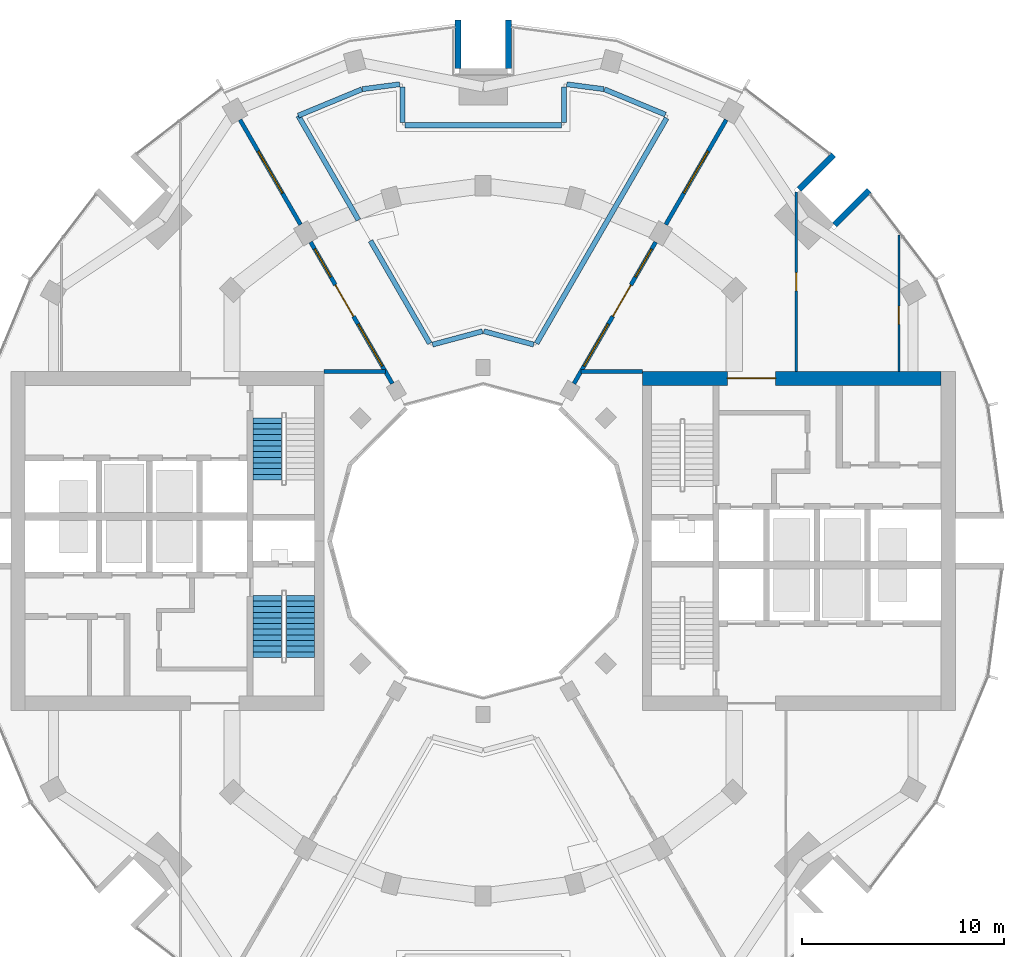
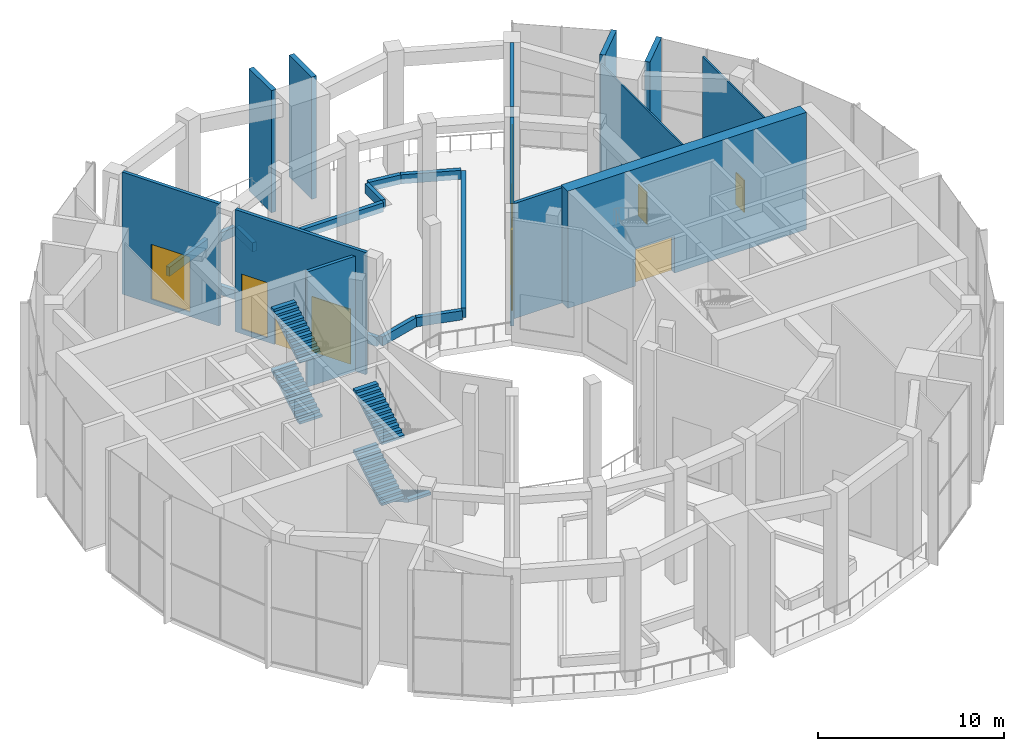
# One storey, part 14 of 18: 25 walls, 6 windows, 5 doors, 5 stair flights, 11 openings, 2 elements without a shape of their own.
"""IFC4 building model written with IfcOpenShell, lengths in metres."""

from ifc_helpers import new_model, si_unit, direction, frame, frame_2d, origin, place, context, subcontext, project, spatial, polyline, rectangle, outline, extrude, material, layer, layer_set, type_object, element, fill, aggregate, save


model = new_model("IFC4")

# Units and contexts
model_context = context("Model", 3, precision=1e-05, world=origin(), true_north=direction((0.0, 1.0)))
body_context = subcontext(model_context, "Body", "Model", "MODEL_VIEW")
ifc_project = project(units=[si_unit("LENGTHUNIT", "METRE"), si_unit("AREAUNIT", "SQUARE_METRE"), si_unit("VOLUMEUNIT", "CUBIC_METRE"), si_unit("PLANEANGLEUNIT", "RADIAN"), si_unit("MASSUNIT", "GRAM", prefix="KILO")], contexts=[model_context])

# Site, building, storey
site_placement = place(None, origin())
site = spatial("IfcSite", under=ifc_project, at=site_placement, CompositionType="ELEMENT")
building_placement = place(site_placement, origin())
building = spatial("IfcBuilding", under=site, at=building_placement, Name="Torre Brocal", CompositionType="ELEMENT")
storey_placement = place(building_placement, frame((0.0, 0.0, 149.699951171875)))
storey = spatial("IfcBuildingStorey", under=building, at=storey_placement, Name="L35", CompositionType="ELEMENT", Elevation=149.699951171875)

# Wall, opening, door
ifc_material_1 = material(Name="Concrete C70", Category="concrete")
ifc_layer_1 = layer(ifc_material_1, 0.699951171875)
ifc_layer_set_1 = layer_set([ifc_layer_1], Name="Concrete C70")
wall_type_1 = type_object("IfcWallType", Name="CORE WALL 700 C70", PredefinedType="SHEAR", material=ifc_layer_set_1)
wall_1_placement = place(storey_placement, frame((87.89990234375, 83.050048828125, 0.0), z_axis=(0.0, 0.0, 1.0), x_axis=(1.0, 0.0, 0.0)))
wall_1 = element("IfcWall", 1, at=wall_1_placement, inside=storey, type_object=wall_type_1, Name="Wall CW700-70", PredefinedType="SHEAR", context=body_context, shape_type="SweptSolid", body=[
    extrude(rectangle(XDim=14.800048828125, YDim=0.699951171875, at=frame_2d((7.39990234375, 0.0))), origin(), (0.0, 0.0, 1.0), 7.679931640625),
])
opening_1_placement = place(wall_1_placement, frame((4.199951171875, 0.0, 0.0)))
opening_1 = element("IfcOpeningElement", 2, at=opening_1_placement, cuts=wall_1, Name="Opening E-D24", PredefinedType="OPENING", context=body_context, shape_type="SweptSolid", body=[
    extrude(rectangle(XDim=2.39990234375, YDim=2.39990234375, at=frame_2d((1.199951171875, 1.199951171875))), frame((0.0, 0.35986328125, 0.0), z_axis=(0.0, -1.0, 0.0), x_axis=(1.0, 0.0, 0.0)), (0.0, 0.0, 1.0), 0.719970703125),
])
ifc_material_2 = material(Name="Steel A653", Category="steel")
door_type_1 = type_object("IfcDoorType", Name="DOUBLE FIRE DOOR FD90 2400X2400", OperationType="DOUBLE_DOOR_SINGLE_SWING", PredefinedType="DOOR", material=ifc_material_2)
door_1_placement = place(opening_1_placement, origin())
door_1 = element("IfcDoor", 3, at=door_1_placement, inside=storey, type_object=door_type_1, Name="Door E-D24", OperationType="DOUBLE_DOOR_SINGLE_SWING", OverallHeight=2.39990234375, OverallWidth=2.39990234375, PredefinedType="DOOR", context=body_context, shape_type="SweptSolid", body=[
    extrude(rectangle(XDim=2.39990234375, YDim=2.39990234375, at=frame_2d((1.199951171875, 1.199951171875))), frame((0.0, 0.02490234375, 0.0), z_axis=(0.0, -1.0, 0.0), x_axis=(1.0, 0.0, 0.0)), (0.0, 0.0, 1.0), 0.050048828125),
])
fill(opening_1, door_1)

# Walls
ifc_material_3 = material(Name="Concrete C70", Category="concrete")
ifc_layer_2 = layer(ifc_material_3, 0.300048828125)
ifc_layer_set_2 = layer_set([ifc_layer_2], Name="Concrete C70")
wall_type_2 = type_object("IfcWallType", Name="NOTCH RETURN WALL 300 C70", PredefinedType="NOTDEFINED", material=ifc_layer_set_2)
for number, where, z_axis, x_axis, name in (
    (4, (97.43017578125, 90.662353515625, 0.0), (0.0, 0.0, 1.0), (0.707106781187, 0.707106781187, 0.0), "NOTCH RETURN WALL"),
    (5, (95.662353515625, 92.43017578125, 0.0), (0.0, 0.0, 1.0), (0.707106781187, 0.707106781187, 0.0), "NOTCH RETURN WALL"),
    (6, (81.25, 98.39990234375, 0.0), (0.0, 0.0, 1.0), (0.0, 1.0, 0.0), "NOTCH RETURN WALL"),
    (7, (78.75, 98.39990234375, 0.0), (0.0, 0.0, 1.0), (0.0, 1.0, 0.0), "NOTCH RETURN WALL"),
):
    element("IfcWall", number, at=place(storey_placement, frame(where, z_axis=z_axis, x_axis=x_axis)), inside=storey, type_object=wall_type_2, Name=name, PredefinedType="NOTDEFINED", context=body_context, shape_type="SweptSolid", body=[
        extrude(rectangle(XDim=2.415771484375, YDim=0.300048828125, at=frame_2d((1.2080078125, 0.0))), origin(), (0.0, 0.0, 1.0), 8.0),
    ])

# Wall, opening, door
ifc_material_4 = material(Name="Gypsum board", Category="Gypsum")
ifc_layer_3 = layer(ifc_material_4, 0.10009765625)
ifc_layer_set_3 = layer_set([ifc_layer_3], Name="Gypsum board")
wall_type_3 = type_object("IfcWallType", Name="PARTITION 100", PredefinedType="PARTITIONING", material=ifc_layer_set_3)
wall_2_placement = place(storey_placement, frame((95.51904296875, 83.39990234375, 0.0), z_axis=(0.0, 0.0, 1.0), x_axis=(0.0, 1.0, 0.0)))
wall_2 = element("IfcWall", 8, at=wall_2_placement, inside=storey, type_object=wall_type_3, Name="ROOM PARTITION", PredefinedType="PARTITIONING", context=body_context, shape_type="SweptSolid", body=[
    extrude(rectangle(XDim=8.89111328125, YDim=0.10009765625, at=frame_2d((4.445556640625, 0.0))), origin(), (0.0, 0.0, 1.0), 7.550048828125),
])
opening_2_placement = place(wall_2_placement, frame((3.99560546875, 0.0, 0.0)))
opening_2 = element("IfcOpeningElement", 9, at=opening_2_placement, cuts=wall_2, Name="Opening SL2-D01", PredefinedType="OPENING", context=body_context, shape_type="SweptSolid", body=[
    extrude(rectangle(XDim=0.89990234375, YDim=2.10009765625, at=frame_2d((0.449951171875, 1.050048828125))), frame((0.0, 0.06005859375, 0.0), z_axis=(0.0, -1.0, 0.0), x_axis=(1.0, 0.0, 0.0)), (0.0, 0.0, 1.0), 0.1201171875),
])
ifc_material_5 = material(Name="Timber", Category="wood")
door_type_2 = type_object("IfcDoorType", Name="ROOM DOOR 900X2100", OperationType="SINGLE_SWING_LEFT", PredefinedType="DOOR", material=ifc_material_5)
door_2_placement = place(opening_2_placement, frame((0.89990234375, 0.0, 0.0), z_axis=(0.0, 0.0, 1.0), x_axis=(-1.0, 0.0, 0.0)))
door_2 = element("IfcDoor", 10, at=door_2_placement, inside=storey, type_object=door_type_2, Name="SL2-D01", OperationType="SINGLE_SWING_LEFT", OverallHeight=2.10009765625, OverallWidth=0.89990234375, PredefinedType="DOOR", context=body_context, shape_type="SweptSolid", body=[
    extrude(rectangle(XDim=0.89990234375, YDim=2.10009765625, at=frame_2d((0.449951171875, 1.050048828125))), frame((0.0, 0.02490234375, 0.0), z_axis=(0.0, -1.0, 0.0), x_axis=(1.0, 0.0, 0.0)), (0.0, 0.0, 1.0), 0.050048828125),
])
fill(opening_2, door_2)

wall_3_placement = place(storey_placement, frame((100.60205078125, 83.39990234375, 0.0), z_axis=(0.0, 0.0, 1.0), x_axis=(0.0, 1.0, 0.0)))
wall_3 = element("IfcWall", 11, at=wall_3_placement, inside=storey, type_object=wall_type_3, Name="BATHROOM WALL", PredefinedType="PARTITIONING", context=body_context, shape_type="SweptSolid", body=[
    extrude(rectangle(XDim=6.76806640625, YDim=0.10009765625, at=frame_2d((3.384033203125, 0.0))), origin(), (0.0, 0.0, 1.0), 7.550048828125),
])
opening_3_placement = place(wall_3_placement, frame((2.333984375, 0.0, 0.0)))
opening_3 = element("IfcOpeningElement", 12, at=opening_3_placement, cuts=wall_3, Name="Opening SL2-D02", PredefinedType="OPENING", context=body_context, shape_type="SweptSolid", body=[
    extrude(rectangle(XDim=0.89990234375, YDim=2.10009765625, at=frame_2d((0.449951171875, 1.050048828125))), frame((0.0, 0.06005859375, 0.0), z_axis=(0.0, -1.0, 0.0), x_axis=(1.0, 0.0, 0.0)), (0.0, 0.0, 1.0), 0.1201171875),
])
ifc_material_6 = material(Name="Timber", Category="wood")
door_type_3 = type_object("IfcDoorType", Name="ACCESSIBLE BATHROOM DOOR 900X2100", OperationType="SINGLE_SWING_LEFT", PredefinedType="DOOR", material=ifc_material_6)
door_3_placement = place(opening_3_placement, frame((0.89990234375, 0.0, 0.0), z_axis=(0.0, 0.0, 1.0), x_axis=(-1.0, 0.0, 0.0)))
door_3 = element("IfcDoor", 13, at=door_3_placement, inside=storey, type_object=door_type_3, Name="SL2-D02", OperationType="SINGLE_SWING_RIGHT", OverallHeight=2.10009765625, OverallWidth=0.89990234375, PredefinedType="DOOR", context=body_context, shape_type="SweptSolid", body=[
    extrude(rectangle(XDim=0.89990234375, YDim=2.10009765625, at=frame_2d((0.449951171875, 1.050048828125))), frame((0.0, 0.02490234375, 0.0), z_axis=(0.0, -1.0, 0.0), x_axis=(1.0, 0.0, 0.0)), (0.0, 0.0, 1.0), 0.050048828125),
])
fill(opening_3, door_3)

# Walls
ifc_material_7 = material(Name="Gypsum board", Category="Gypsum")
ifc_layer_4 = layer(ifc_material_7, 0.199951171875)
ifc_layer_set_4 = layer_set([ifc_layer_4], Name="Gypsum board")
wall_type_4 = type_object("IfcWallType", Name="PARTITION 200 EI60", PredefinedType="PARTITIONING", material=ifc_layer_set_4)
for number, where, z_axis, x_axis, name in (
    (14, (72.10107421875, 83.39990234375, 0.0), (0.0, 0.0, 1.0), (1.0, 0.0, 0.0), "PARTY PARTITION"),
    (15, (84.85107421875, 83.39990234375, 0.0), (0.0, 0.0, 1.0), (1.0, 0.0, 0.0), "PARTY PARTITION"),
):
    element("IfcWall", number, at=place(storey_placement, frame(where, z_axis=z_axis, x_axis=x_axis)), inside=storey, type_object=wall_type_4, Name=name, PredefinedType="PARTITIONING", context=body_context, shape_type="SweptSolid", body=[
        extrude(rectangle(XDim=3.0478515625, YDim=0.199951171875, at=frame_2d((1.52392578125, 0.0))), origin(), (0.0, 0.0, 1.0), 7.550048828125),
    ])

# Wall, openings, door, windows
ifc_material_8 = material(Name="Concrete C40", Category="concrete")
ifc_layer_5 = layer(ifc_material_8, 0.199951171875)
ifc_layer_set_5 = layer_set([ifc_layer_5], Name="Concrete C40")
wall_type_5 = type_object("IfcWallType", Name="PAVILION BOUNDARY WALL 200", PredefinedType="NOTDEFINED", material=ifc_layer_set_5)
wall_4_placement = place(storey_placement, frame((84.5, 82.794189453125, 0.0), z_axis=(0.0, 0.0, 1.0), x_axis=(0.499999880539, 0.866025472755, 0.0)))
wall_4 = element("IfcWall", 16, at=wall_4_placement, inside=storey, type_object=wall_type_5, Name="PAVILION BOUNDARY WALL", PredefinedType="NOTDEFINED", context=body_context, shape_type="SweptSolid", body=[
    extrude(rectangle(XDim=8.10009765625, YDim=0.199951171875, at=frame_2d((4.050048828125, 0.0))), origin(), (0.0, 0.0, 1.0), 8.0),
])
opening_4_placement = place(wall_4_placement, frame((1.0, 0.0, 0.300048828125)))
opening_4 = element("IfcOpeningElement", 17, at=opening_4_placement, cuts=wall_4, Name="Opening W4", PredefinedType="OPENING", context=body_context, shape_type="SweptSolid", body=[
    extrude(rectangle(XDim=2.39990234375, YDim=3.60009765625, at=frame_2d((1.199951171875, 1.800048828125))), frame((0.0, 0.10986328125, 0.0), z_axis=(0.0, -1.0, 0.0), x_axis=(1.0, 0.0, 0.0)), (0.0, 0.0, 1.0), 0.219970703125),
])
opening_5_placement = place(wall_4_placement, frame((3.85009765625, 0.0, 0.0)))
opening_5 = element("IfcOpeningElement", 18, at=opening_5_placement, cuts=wall_4, Name="Opening L35-E01", PredefinedType="OPENING", context=body_context, shape_type="SweptSolid", body=[
    extrude(rectangle(XDim=1.800048828125, YDim=2.39990234375, at=frame_2d((0.89990234375, 1.199951171875))), frame((0.0, 0.10986328125, 0.0), z_axis=(0.0, -1.0, 0.0), x_axis=(1.0, 0.0, 0.0)), (0.0, 0.0, 1.0), 0.219970703125),
])
opening_6_placement = place(wall_4_placement, frame((6.10009765625, 0.0, 0.300048828125)))
opening_6 = element("IfcOpeningElement", 19, at=opening_6_placement, cuts=wall_4, Name="Opening W4-1600", PredefinedType="OPENING", context=body_context, shape_type="SweptSolid", body=[
    extrude(rectangle(XDim=1.60009765625, YDim=3.60009765625, at=frame_2d((0.800048828125, 1.800048828125))), frame((0.0, 0.10986328125, 0.0), z_axis=(0.0, -1.0, 0.0), x_axis=(1.0, 0.0, 0.0)), (0.0, 0.0, 1.0), 0.219970703125),
])
ifc_material_9 = material(Name="Aluminium and glass", Category="aluminium")
door_type_4 = type_object("IfcDoorType", Name="PAVILION DOOR 1800X2400", OperationType="DOUBLE_DOOR_SINGLE_SWING", PredefinedType="DOOR", material=ifc_material_9)
door_4_placement = place(opening_5_placement, origin())
door_4 = element("IfcDoor", 20, at=door_4_placement, inside=storey, type_object=door_type_4, Name="DOOR L35-E01", OperationType="DOUBLE_DOOR_SINGLE_SWING", OverallHeight=2.39990234375, OverallWidth=1.800048828125, PredefinedType="DOOR", context=body_context, shape_type="SweptSolid", body=[
    extrude(rectangle(XDim=1.800048828125, YDim=2.39990234375, at=frame_2d((0.89990234375, 1.199951171875))), frame((0.0, 0.02490234375, 0.0), z_axis=(0.0, -1.0, 0.0), x_axis=(1.0, 0.0, 0.0)), (0.0, 0.0, 1.0), 0.050048828125),
])
fill(opening_5, door_4)
ifc_material_10 = material(Name="Aluminium and glass", Category="aluminium")
window_type_1 = type_object("IfcWindowType", Name="PAVILION WINDOW 1600X3600", PartitioningType="SINGLE_PANEL", PredefinedType="WINDOW", material=ifc_material_10)
window_1_placement = place(opening_6_placement, origin())
window_1 = element("IfcWindow", 21, at=window_1_placement, inside=storey, type_object=window_type_1, Name="PAVILION WINDOW 1600X3600", OverallHeight=3.60009765625, OverallWidth=1.60009765625, PartitioningType="SINGLE_PANEL", PredefinedType="WINDOW", context=body_context, shape_type="SweptSolid", body=[
    extrude(rectangle(XDim=1.60009765625, YDim=3.60009765625, at=frame_2d((0.800048828125, 1.800048828125))), frame((0.0, 0.030029296875, 0.0), z_axis=(0.0, -1.0, 0.0), x_axis=(1.0, 0.0, 0.0)), (0.0, 0.0, 1.0), 0.06005859375),
])
fill(opening_6, window_1)
ifc_material_11 = material(Name="Aluminium and glass", Category="aluminium")
window_type_2 = type_object("IfcWindowType", Name="PAVILION WINDOW 2400X3600", PartitioningType="SINGLE_PANEL", PredefinedType="WINDOW", material=ifc_material_11)
window_2_placement = place(opening_4_placement, origin())
window_2 = element("IfcWindow", 22, at=window_2_placement, inside=storey, type_object=window_type_2, Name="PAVILION WINDOW 2400X3600", OverallHeight=3.60009765625, OverallWidth=2.39990234375, PartitioningType="SINGLE_PANEL", PredefinedType="WINDOW", context=body_context, shape_type="SweptSolid", body=[
    extrude(rectangle(XDim=2.39990234375, YDim=3.60009765625, at=frame_2d((1.199951171875, 1.800048828125))), frame((0.0, 0.030029296875, 0.0), z_axis=(0.0, -1.0, 0.0), x_axis=(1.0, 0.0, 0.0)), (0.0, 0.0, 1.0), 0.06005859375),
])
fill(opening_4, window_2)

# Wall, opening, window
wall_5_placement = place(storey_placement, frame((89.050048828125, 90.675048828125, 0.0), z_axis=(0.0, 0.0, 1.0), x_axis=(0.500007758305, 0.866020924479, 0.0)))
wall_5 = element("IfcWall", 23, at=wall_5_placement, inside=storey, type_object=wall_type_5, Name="PAVILION BOUNDARY WALL", PredefinedType="NOTDEFINED", context=body_context, shape_type="SweptSolid", body=[
    extrude(rectangle(XDim=6.0, YDim=0.199951171875, at=frame_2d((3.0, 0.0))), origin(), (0.0, 0.0, 1.0), 8.0),
])
opening_7_placement = place(wall_5_placement, frame((1.800048828125, 0.0, 0.300048828125)))
opening_7 = element("IfcOpeningElement", 24, at=opening_7_placement, cuts=wall_5, Name="Opening W4", PredefinedType="OPENING", context=body_context, shape_type="SweptSolid", body=[
    extrude(rectangle(XDim=2.39990234375, YDim=3.60009765625, at=frame_2d((1.199951171875, 1.800048828125))), frame((0.0, 0.10986328125, 0.0), z_axis=(0.0, -1.0, 0.0), x_axis=(1.0, 0.0, 0.0)), (0.0, 0.0, 1.0), 0.219970703125),
])
window_3_placement = place(opening_7_placement, origin())
window_3 = element("IfcWindow", 25, at=window_3_placement, inside=storey, type_object=window_type_2, Name="PAVILION WINDOW 2400X3600", OverallHeight=3.60009765625, OverallWidth=2.39990234375, PartitioningType="SINGLE_PANEL", PredefinedType="WINDOW", context=body_context, shape_type="SweptSolid", body=[
    extrude(rectangle(XDim=2.39990234375, YDim=3.60009765625, at=frame_2d((1.199951171875, 1.800048828125))), frame((0.0, 0.030029296875, 0.0), z_axis=(0.0, -1.0, 0.0), x_axis=(1.0, 0.0, 0.0)), (0.0, 0.0, 1.0), 0.06005859375),
])
fill(opening_7, window_3)

# Wall, openings, door, windows
wall_6_placement = place(storey_placement, frame((75.5, 82.794189453125, 0.0), z_axis=(0.0, 0.0, 1.0), x_axis=(-0.499999880539, 0.866025472755, 0.0)))
wall_6 = element("IfcWall", 26, at=wall_6_placement, inside=storey, type_object=wall_type_5, Name="PAVILION BOUNDARY WALL", PredefinedType="NOTDEFINED", context=body_context, shape_type="SweptSolid", body=[
    extrude(rectangle(XDim=8.10009765625, YDim=0.199951171875, at=frame_2d((4.050048828125, 0.0))), origin(), (0.0, 0.0, 1.0), 8.0),
])
opening_8_placement = place(wall_6_placement, frame((1.0, 0.0, 0.300048828125)))
opening_8 = element("IfcOpeningElement", 27, at=opening_8_placement, cuts=wall_6, Name="Opening W4", PredefinedType="OPENING", context=body_context, shape_type="SweptSolid", body=[
    extrude(rectangle(XDim=2.39990234375, YDim=3.60009765625, at=frame_2d((1.199951171875, 1.800048828125))), frame((0.0, 0.10986328125, 0.0), z_axis=(0.0, -1.0, 0.0), x_axis=(1.0, 0.0, 0.0)), (0.0, 0.0, 1.0), 0.219970703125),
])
opening_9_placement = place(wall_6_placement, frame((3.85009765625, 0.0, 0.0)))
opening_9 = element("IfcOpeningElement", 28, at=opening_9_placement, cuts=wall_6, Name="Opening L35-E02", PredefinedType="OPENING", context=body_context, shape_type="SweptSolid", body=[
    extrude(rectangle(XDim=1.800048828125, YDim=2.39990234375, at=frame_2d((0.89990234375, 1.199951171875))), frame((0.0, 0.10986328125, 0.0), z_axis=(0.0, -1.0, 0.0), x_axis=(1.0, 0.0, 0.0)), (0.0, 0.0, 1.0), 0.219970703125),
])
opening_10_placement = place(wall_6_placement, frame((6.10009765625, 0.0, 0.300048828125)))
opening_10 = element("IfcOpeningElement", 29, at=opening_10_placement, cuts=wall_6, Name="Opening W4-1600", PredefinedType="OPENING", context=body_context, shape_type="SweptSolid", body=[
    extrude(rectangle(XDim=1.60009765625, YDim=3.60009765625, at=frame_2d((0.800048828125, 1.800048828125))), frame((0.0, 0.10986328125, 0.0), z_axis=(0.0, -1.0, 0.0), x_axis=(1.0, 0.0, 0.0)), (0.0, 0.0, 1.0), 0.219970703125),
])
door_5_placement = place(opening_9_placement, frame((1.800048828125, 0.0, 0.0), z_axis=(0.0, 0.0, 1.0), x_axis=(-1.0, 0.0, 0.0)))
door_5 = element("IfcDoor", 30, at=door_5_placement, inside=storey, type_object=door_type_4, Name="DOOR L35-E02", OperationType="DOUBLE_DOOR_SINGLE_SWING", OverallHeight=2.39990234375, OverallWidth=1.800048828125, PredefinedType="DOOR", context=body_context, shape_type="SweptSolid", body=[
    extrude(rectangle(XDim=1.800048828125, YDim=2.39990234375, at=frame_2d((0.89990234375, 1.199951171875))), frame((0.0, 0.02490234375, 0.0), z_axis=(0.0, -1.0, 0.0), x_axis=(1.0, 0.0, 0.0)), (0.0, 0.0, 1.0), 0.050048828125),
])
fill(opening_9, door_5)
window_4_placement = place(opening_10_placement, origin())
window_4 = element("IfcWindow", 31, at=window_4_placement, inside=storey, type_object=window_type_1, Name="PAVILION WINDOW 1600X3600", OverallHeight=3.60009765625, OverallWidth=1.60009765625, PartitioningType="SINGLE_PANEL", PredefinedType="WINDOW", context=body_context, shape_type="SweptSolid", body=[
    extrude(rectangle(XDim=1.60009765625, YDim=3.60009765625, at=frame_2d((0.800048828125, 1.800048828125))), frame((0.0, 0.030029296875, 0.0), z_axis=(0.0, -1.0, 0.0), x_axis=(1.0, 0.0, 0.0)), (0.0, 0.0, 1.0), 0.06005859375),
])
fill(opening_10, window_4)
window_5_placement = place(opening_8_placement, origin())
window_5 = element("IfcWindow", 32, at=window_5_placement, inside=storey, type_object=window_type_2, Name="PAVILION WINDOW 2400X3600", OverallHeight=3.60009765625, OverallWidth=2.39990234375, PartitioningType="SINGLE_PANEL", PredefinedType="WINDOW", context=body_context, shape_type="SweptSolid", body=[
    extrude(rectangle(XDim=2.39990234375, YDim=3.60009765625, at=frame_2d((1.199951171875, 1.800048828125))), frame((0.0, 0.030029296875, 0.0), z_axis=(0.0, -1.0, 0.0), x_axis=(1.0, 0.0, 0.0)), (0.0, 0.0, 1.0), 0.06005859375),
])
fill(opening_8, window_5)

# Wall, opening, window
wall_7_placement = place(storey_placement, frame((70.949951171875, 90.675048828125, 0.0), z_axis=(0.0, 0.0, 1.0), x_axis=(-0.500007758305, 0.866020924479, 0.0)))
wall_7 = element("IfcWall", 33, at=wall_7_placement, inside=storey, type_object=wall_type_5, Name="PAVILION BOUNDARY WALL", PredefinedType="NOTDEFINED", context=body_context, shape_type="SweptSolid", body=[
    extrude(rectangle(XDim=6.0, YDim=0.199951171875, at=frame_2d((3.0, 0.0))), origin(), (0.0, 0.0, 1.0), 8.0),
])
opening_11_placement = place(wall_7_placement, frame((1.800048828125, 0.0, 0.300048828125)))
opening_11 = element("IfcOpeningElement", 34, at=opening_11_placement, cuts=wall_7, Name="Opening W4", PredefinedType="OPENING", context=body_context, shape_type="SweptSolid", body=[
    extrude(rectangle(XDim=2.39990234375, YDim=3.60009765625, at=frame_2d((1.199951171875, 1.800048828125))), frame((0.0, 0.10986328125, 0.0), z_axis=(0.0, -1.0, 0.0), x_axis=(1.0, 0.0, 0.0)), (0.0, 0.0, 1.0), 0.219970703125),
])
window_6_placement = place(opening_11_placement, origin())
window_6 = element("IfcWindow", 35, at=window_6_placement, inside=storey, type_object=window_type_2, Name="PAVILION WINDOW 2400X3600", OverallHeight=3.60009765625, OverallWidth=2.39990234375, PartitioningType="SINGLE_PANEL", PredefinedType="WINDOW", context=body_context, shape_type="SweptSolid", body=[
    extrude(rectangle(XDim=2.39990234375, YDim=3.60009765625, at=frame_2d((1.199951171875, 1.800048828125))), frame((0.0, 0.030029296875, 0.0), z_axis=(0.0, -1.0, 0.0), x_axis=(1.0, 0.0, 0.0)), (0.0, 0.0, 1.0), 0.06005859375),
])
fill(opening_11, window_6)

# Walls
ifc_material_12 = material(Name="Concrete C35", Category="concrete")
ifc_layer_6 = layer(ifc_material_12, 0.25)
ifc_layer_set_6 = layer_set([ifc_layer_6], Name="Concrete C35")
wall_type_6 = type_object("IfcWallType", Name="PLANTER WALL 250 THICK 600 HIGH 8", PredefinedType="USERDEFINED", material=ifc_layer_set_6)
wall_8_placement = place(storey_placement, frame((70.8349609375, 96.074462890625, 0.0), z_axis=(0.0, 0.0, 1.0), x_axis=(0.500003486784, -0.866023390679, 0.0)))
element("IfcWall", 36, at=wall_8_placement, inside=storey, type_object=wall_type_6, Name="PLANTER", ObjectType="PLANTER", PredefinedType="USERDEFINED", context=body_context, shape_type="SweptSolid", body=[
    extrude(rectangle(XDim=5.9658203125, YDim=0.25, at=frame_2d((2.98291015625, 0.0))), origin(), (0.0, 0.0, 1.0), 0.60009765625),
])
wall_9_placement = place(storey_placement, frame((74.417724609375, 89.86865234375, 0.0), z_axis=(0.0, 0.0, 1.0), x_axis=(0.499999689456, -0.866025583077, 0.0)))
element("IfcWall", 37, at=wall_9_placement, inside=storey, type_object=wall_type_6, Name="PLANTER", ObjectType="PLANTER", PredefinedType="USERDEFINED", context=body_context, shape_type="SweptSolid", body=[
    extrude(rectangle(XDim=5.86962890625, YDim=0.25, at=frame_2d((2.934814453125, 0.0))), origin(), (0.0, 0.0, 1.0), 0.60009765625),
])
for number, where, z_axis, x_axis, name in (
    (38, (77.4931640625, 84.72705078125, 0.0), (0.0, 0.0, 1.0), (0.965917845578, 0.258848827685, 0.0), "PLANTER"),
    (39, (80.032470703125, 85.39013671875, 0.0), (0.0, 0.0, 1.0), (0.965917845578, -0.258848827685, 0.0), "PLANTER"),
):
    element("IfcWall", number, at=place(storey_placement, frame(where, z_axis=z_axis, x_axis=x_axis)), inside=storey, type_object=wall_type_6, Name=name, ObjectType="PLANTER", PredefinedType="USERDEFINED", context=body_context, shape_type="SweptSolid", body=[
        extrude(rectangle(XDim=2.561767578125, YDim=0.25, at=frame_2d((1.28076171875, 0.0))), origin(), (0.0, 0.0, 1.0), 0.60009765625),
    ])
wall_10_placement = place(storey_placement, frame((82.6474609375, 84.785400390625, 0.0), z_axis=(0.0, 0.0, 1.0), x_axis=(0.499992370413, 0.866029808684, 0.0)))
element("IfcWall", 40, at=wall_10_placement, inside=storey, type_object=wall_type_6, Name="PLANTER", ObjectType="PLANTER", PredefinedType="USERDEFINED", context=body_context, shape_type="SweptSolid", body=[
    extrude(rectangle(XDim=12.892822265625, YDim=0.25, at=frame_2d((6.4462890625, 0.0))), origin(), (0.0, 0.0, 1.0), 0.60009765625),
])
wall_11_placement = place(storey_placement, frame((89.033447265625, 96.12890625, 0.0), z_axis=(0.0, 0.0, 1.0), x_axis=(-0.923863886655, 0.382721202621, 0.0)))
element("IfcWall", 41, at=wall_11_placement, inside=storey, type_object=wall_type_6, Name="PLANTER", ObjectType="PLANTER", PredefinedType="USERDEFINED", context=body_context, shape_type="SweptSolid", body=[
    extrude(rectangle(XDim=3.2685546875, YDim=0.25, at=frame_2d((1.63427734375, 0.0))), origin(), (0.0, 0.0, 1.0), 0.60009765625),
])
wall_12_placement = place(storey_placement, frame((85.98193359375, 97.38818359375, 0.0), z_axis=(0.0, 0.0, 1.0), x_axis=(-0.991436829887, 0.130587182926, 0.0)))
element("IfcWall", 42, at=wall_12_placement, inside=storey, type_object=wall_type_6, Name="PLANTER", ObjectType="PLANTER", PredefinedType="USERDEFINED", context=body_context, shape_type="SweptSolid", body=[
    extrude(rectangle(XDim=1.8564453125, YDim=0.25, at=frame_2d((0.92822265625, 0.0))), origin(), (0.0, 0.0, 1.0), 0.60009765625),
])
wall_13_placement = place(storey_placement, frame((84.0, 97.506591796875, 0.0), z_axis=(0.0, 0.0, 1.0), x_axis=(0.0, -1.0, 0.0)))
element("IfcWall", 43, at=wall_13_placement, inside=storey, type_object=wall_type_6, Name="PLANTER", ObjectType="PLANTER", PredefinedType="USERDEFINED", context=body_context, shape_type="SweptSolid", body=[
    extrude(rectangle(XDim=1.781494140625, YDim=0.25, at=frame_2d((0.890625, 0.0))), origin(), (0.0, 0.0, 1.0), 0.60009765625),
])
wall_14_placement = place(storey_placement, frame((83.875, 95.60009765625, 0.0), z_axis=(0.0, 0.0, 1.0), x_axis=(-1.0, 0.0, 0.0)))
element("IfcWall", 44, at=wall_14_placement, inside=storey, type_object=wall_type_6, Name="PLANTER", ObjectType="PLANTER", PredefinedType="USERDEFINED", context=body_context, shape_type="SweptSolid", body=[
    extrude(rectangle(XDim=7.75, YDim=0.25, at=frame_2d((3.875, 0.0))), origin(), (0.0, 0.0, 1.0), 0.60009765625),
])
wall_15_placement = place(storey_placement, frame((76.0, 95.72509765625, 0.0), z_axis=(0.0, 0.0, 1.0), x_axis=(0.0, 1.0, 0.0)))
element("IfcWall", 45, at=wall_15_placement, inside=storey, type_object=wall_type_6, Name="PLANTER", ObjectType="PLANTER", PredefinedType="USERDEFINED", context=body_context, shape_type="SweptSolid", body=[
    extrude(rectangle(XDim=1.781494140625, YDim=0.25, at=frame_2d((0.890625, 0.0))), origin(), (0.0, 0.0, 1.0), 0.60009765625),
])
wall_16_placement = place(storey_placement, frame((75.858642578125, 97.630615234375, 0.0), z_axis=(0.0, 0.0, 1.0), x_axis=(-0.991436829887, -0.130587182926, 0.0)))
element("IfcWall", 46, at=wall_16_placement, inside=storey, type_object=wall_type_6, Name="PLANTER", ObjectType="PLANTER", PredefinedType="USERDEFINED", context=body_context, shape_type="SweptSolid", body=[
    extrude(rectangle(XDim=1.8564453125, YDim=0.25, at=frame_2d((0.92822265625, 0.0))), origin(), (0.0, 0.0, 1.0), 0.60009765625),
])
wall_17_placement = place(storey_placement, frame((73.986328125, 97.3798828125, 0.0), z_axis=(0.0, 0.0, 1.0), x_axis=(-0.923871147788, -0.38270367425, 0.0)))
element("IfcWall", 47, at=wall_17_placement, inside=storey, type_object=wall_type_6, Name="PLANTER", ObjectType="PLANTER", PredefinedType="USERDEFINED", context=body_context, shape_type="SweptSolid", body=[
    extrude(rectangle(XDim=3.4111328125, YDim=0.25, at=frame_2d((1.70556640625, 0.0))), origin(), (0.0, 0.0, 1.0), 0.60009765625),
])

# Stair, stair flights
ifc_material_13 = material(Name="Concrete C50", Category="concrete")
stair_type = type_object("IfcStairType", Name="EXIT STAIR", PredefinedType="HALF_TURN_STAIR", material=ifc_material_13)
stair_1_placement = place(storey_placement, origin())
stair_1 = element("IfcStair", 48, at=stair_1_placement, inside=storey, type_object=stair_type, Name="EXIT STAIR ST3", PredefinedType="HALF_TURN_STAIR")
ifc_material_14 = material(Name="Concrete C50", Category="concrete")
ifc_layer_7 = layer(ifc_material_14, 0.14990234375)
ifc_layer_set_7 = layer_set([ifc_layer_7], Name="Concrete C50")
stair_flight_type = type_object("IfcStairFlightType", Name="STAIR FLIGHT", PredefinedType="STRAIGHT", material=ifc_layer_set_7)
stair_flight_1_placement = place(storey_placement, frame((70.949951171875, 72.300048828125, 0.0), z_axis=(0.0, 0.0, 1.0), x_axis=(0.0, -1.0, 0.0)))
stair_flight_1 = element("IfcStairFlight", 49, at=stair_flight_1_placement, type_object=stair_flight_type, Name="ST3 flight 1", NumberOfRisers=12, NumberOfTreads=11, PredefinedType="STRAIGHT", RiserHeight=0.166666667, TreadLength=0.28, context=body_context, shape_type="SweptSolid", body=[
    extrude(outline(polyline([(0.0, 0.0), (0.0, 0.166748046875), (0.280029296875, 0.166748046875), (0.280029296875, 0.333251953125), (0.56005859375, 0.333251953125), (0.56005859375, 0.5), (0.840087890625, 0.5), (0.840087890625, 0.666748046875), (1.1201171875, 0.666748046875), (1.1201171875, 0.833251953125), (1.39990234375, 0.833251953125), (1.39990234375, 1.0), (1.679931640625, 1.0), (1.679931640625, 1.166748046875), (1.9599609375, 1.166748046875), (1.9599609375, 1.333251953125), (2.239990234375, 1.333251953125), (2.239990234375, 1.5), (2.52001953125, 1.5), (2.52001953125, 1.666748046875), (2.800048828125, 1.666748046875), (2.800048828125, 1.833251953125), (3.080078125, 1.833251953125), (3.080078125, 2.0), (3.080078125, 1.658935546875), (0.29296875, 0.0), (0.0, 0.0)])), frame((0.0, 0.699951171875, 0.0), z_axis=(0.0, -1.0, 0.0), x_axis=(1.0, 0.0, 0.0)), (0.0, 0.0, 1.0), 1.39990234375),
])
stair_flight_2_placement = place(storey_placement, frame((69.300048828125, 69.219970703125, 2.0), z_axis=(0.0, 0.0, 1.0), x_axis=(0.0, 1.0, 0.0)))
stair_flight_2 = element("IfcStairFlight", 50, at=stair_flight_2_placement, type_object=stair_flight_type, Name="ST3 flight 2", NumberOfRisers=12, NumberOfTreads=11, PredefinedType="STRAIGHT", RiserHeight=0.166666667, TreadLength=0.28, context=body_context, shape_type="SweptSolid", body=[
    extrude(outline(polyline([(0.0, 0.0), (0.0, 0.166748046875), (0.280029296875, 0.166748046875), (0.280029296875, 0.333251953125), (0.56005859375, 0.333251953125), (0.56005859375, 0.5), (0.840087890625, 0.5), (0.840087890625, 0.666748046875), (1.1201171875, 0.666748046875), (1.1201171875, 0.833251953125), (1.39990234375, 0.833251953125), (1.39990234375, 1.0), (1.679931640625, 1.0), (1.679931640625, 1.166748046875), (1.9599609375, 1.166748046875), (1.9599609375, 1.333251953125), (2.239990234375, 1.333251953125), (2.239990234375, 1.5), (2.52001953125, 1.5), (2.52001953125, 1.666748046875), (2.800048828125, 1.666748046875), (2.800048828125, 1.833251953125), (3.080078125, 1.833251953125), (3.080078125, 2.0), (3.080078125, 1.658935546875), (0.29296875, 0.0), (0.0, 0.0)])), frame((0.0, 0.699951171875, 0.0), z_axis=(0.0, -1.0, 0.0), x_axis=(1.0, 0.0, 0.0)), (0.0, 0.0, 1.0), 1.39990234375),
])
stair_flight_3_placement = place(storey_placement, frame((69.300048828125, 69.219970703125, 6.0), z_axis=(0.0, 0.0, 1.0), x_axis=(0.0, 1.0, 0.0)))
stair_flight_3 = element("IfcStairFlight", 51, at=stair_flight_3_placement, type_object=stair_flight_type, Name="ST3 flight 4", NumberOfRisers=12, NumberOfTreads=11, PredefinedType="STRAIGHT", RiserHeight=0.166666667, TreadLength=0.28, context=body_context, shape_type="SweptSolid", body=[
    extrude(outline(polyline([(0.0, 0.0), (0.0, 0.166748046875), (0.280029296875, 0.166748046875), (0.280029296875, 0.333251953125), (0.56005859375, 0.333251953125), (0.56005859375, 0.5), (0.840087890625, 0.5), (0.840087890625, 0.666748046875), (1.1201171875, 0.666748046875), (1.1201171875, 0.833251953125), (1.39990234375, 0.833251953125), (1.39990234375, 1.0), (1.679931640625, 1.0), (1.679931640625, 1.166748046875), (1.9599609375, 1.166748046875), (1.9599609375, 1.333251953125), (2.239990234375, 1.333251953125), (2.239990234375, 1.5), (2.52001953125, 1.5), (2.52001953125, 1.666748046875), (2.800048828125, 1.666748046875), (2.800048828125, 1.833251953125), (3.080078125, 1.833251953125), (3.080078125, 2.0), (3.080078125, 1.658935546875), (0.29296875, 0.0), (0.0, 0.0)])), frame((0.0, 0.699951171875, 0.0), z_axis=(0.0, -1.0, 0.0), x_axis=(1.0, 0.0, 0.0)), (0.0, 0.0, 1.0), 1.39990234375),
])
aggregate(stair_1, [stair_flight_1, stair_flight_2, stair_flight_3])

stair_2_placement = place(storey_placement, origin())
stair_2 = element("IfcStair", 52, at=stair_2_placement, inside=storey, type_object=stair_type, Name="EXIT STAIR ST4", PredefinedType="HALF_TURN_STAIR")
stair_flight_4_placement = place(storey_placement, frame((69.300048828125, 78.02001953125, 2.0), z_axis=(0.0, 0.0, 1.0), x_axis=(0.0, 1.0, 0.0)))
stair_flight_4 = element("IfcStairFlight", 53, at=stair_flight_4_placement, type_object=stair_flight_type, Name="ST4 flight 2", NumberOfRisers=12, NumberOfTreads=11, PredefinedType="STRAIGHT", RiserHeight=0.166666667, TreadLength=0.28, context=body_context, shape_type="SweptSolid", body=[
    extrude(outline(polyline([(0.0, 0.0), (0.0, 0.166748046875), (0.280029296875, 0.166748046875), (0.280029296875, 0.333251953125), (0.56005859375, 0.333251953125), (0.56005859375, 0.5), (0.840087890625, 0.5), (0.840087890625, 0.666748046875), (1.1201171875, 0.666748046875), (1.1201171875, 0.833251953125), (1.39990234375, 0.833251953125), (1.39990234375, 1.0), (1.679931640625, 1.0), (1.679931640625, 1.166748046875), (1.9599609375, 1.166748046875), (1.9599609375, 1.333251953125), (2.239990234375, 1.333251953125), (2.239990234375, 1.5), (2.52001953125, 1.5), (2.52001953125, 1.666748046875), (2.800048828125, 1.666748046875), (2.800048828125, 1.833251953125), (3.080078125, 1.833251953125), (3.080078125, 2.0), (3.080078125, 1.658935546875), (0.29296875, 0.0), (0.0, 0.0)])), frame((0.0, 0.699951171875, 0.0), z_axis=(0.0, -1.0, 0.0), x_axis=(1.0, 0.0, 0.0)), (0.0, 0.0, 1.0), 1.39990234375),
])
stair_flight_5_placement = place(storey_placement, frame((69.300048828125, 78.02001953125, 6.0), z_axis=(0.0, 0.0, 1.0), x_axis=(0.0, 1.0, 0.0)))
stair_flight_5 = element("IfcStairFlight", 54, at=stair_flight_5_placement, type_object=stair_flight_type, Name="ST4 flight 4", NumberOfRisers=12, NumberOfTreads=11, PredefinedType="STRAIGHT", RiserHeight=0.166666667, TreadLength=0.28, context=body_context, shape_type="SweptSolid", body=[
    extrude(outline(polyline([(0.0, 0.0), (0.0, 0.166748046875), (0.280029296875, 0.166748046875), (0.280029296875, 0.333251953125), (0.56005859375, 0.333251953125), (0.56005859375, 0.5), (0.840087890625, 0.5), (0.840087890625, 0.666748046875), (1.1201171875, 0.666748046875), (1.1201171875, 0.833251953125), (1.39990234375, 0.833251953125), (1.39990234375, 1.0), (1.679931640625, 1.0), (1.679931640625, 1.166748046875), (1.9599609375, 1.166748046875), (1.9599609375, 1.333251953125), (2.239990234375, 1.333251953125), (2.239990234375, 1.5), (2.52001953125, 1.5), (2.52001953125, 1.666748046875), (2.800048828125, 1.666748046875), (2.800048828125, 1.833251953125), (3.080078125, 1.833251953125), (3.080078125, 2.0), (3.080078125, 1.658935546875), (0.29296875, 0.0), (0.0, 0.0)])), frame((0.0, 0.699951171875, 0.0), z_axis=(0.0, -1.0, 0.0), x_axis=(1.0, 0.0, 0.0)), (0.0, 0.0, 1.0), 1.39990234375),
])
aggregate(stair_2, [stair_flight_4, stair_flight_5])

save(model, "model.ifc")
